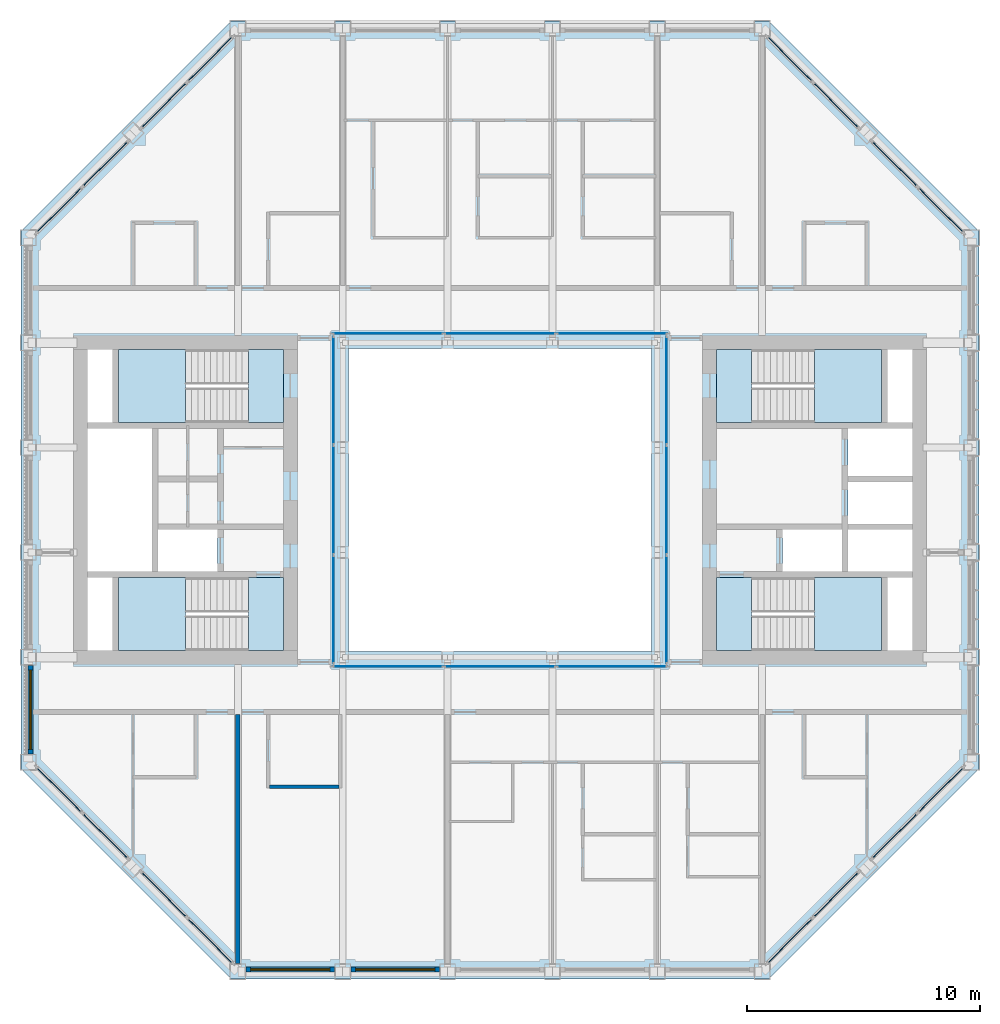
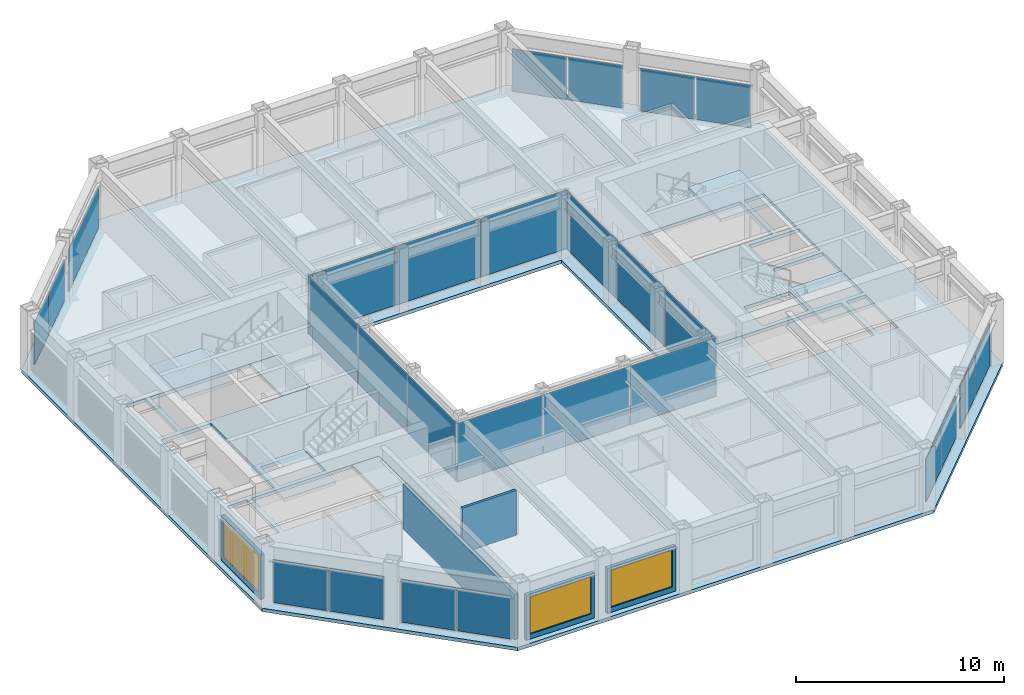
# One storey, part 8 of 17: 28 plates, 9 slabs, 5 walls, 3 windows, 3 openings, 16 elements without a shape of their own.
"""IFC4 building model written with IfcOpenShell, lengths in metres."""

import ifcopenshell
import ifcopenshell.guid

model = None  # the IFC model being written
_history = None  # IfcOwnerHistory: only IFC2X3 demands one
_inside = {}  # id of a spatial element -> (the spatial element, [elements in it])
_under = {}  # id of a project, library or spatial element -> (it, [spatial elements below it])
_declared = {}  # id of a project -> (the project, [libraries it declares])
_typed = {}  # id of a type object -> (the type object, [elements of that type])
_made_of = {}  # id of a material, layer set ... -> (it, [elements and type objects made of it])


def new_model(schema):
    """Start an empty IFC model of exactly this schema.

    Asked for "IFC4X3", IfcOpenShell would pick the latest addendum, in which some entities
    have other attributes; the version numbers below select the first issue.
    IFC2X3 requires an IfcOwnerHistory on every rooted entity: one is made here for all.
    """
    global model, _history
    if schema == "IFC4X3":
        model = ifcopenshell.file(schema_version=(4, 3, 0, 0))
    else:
        model = ifcopenshell.file(schema=schema)
    _inside.clear()
    _under.clear()
    _declared.clear()
    _typed.clear()
    _made_of.clear()
    _history = None
    if model.schema == "IFC2X3":
        org = make("IfcOrganization", Name="unknown")
        user = make(
            "IfcPersonAndOrganization",
            ThePerson=make("IfcPerson", FamilyName="unknown"),
            TheOrganization=org,
        )
        app = make(
            "IfcApplication",
            ApplicationDeveloper=org,
            Version="unknown",
            ApplicationFullName="unknown",
            ApplicationIdentifier="unknown",
        )
        _history = make(
            "IfcOwnerHistory",
            OwningUser=user,
            OwningApplication=app,
            ChangeAction="ADDED",
            CreationDate=0,
        )
    return model


def make(cls, **values):
    """One entity of the class cls with the attributes given. An attribute that is None is left unset."""
    return model.create_entity(
        cls, **{name: value for name, value in values.items() if value is not None}
    )


def rooted(cls, **values):
    """An entity with a GlobalId (a new one), such as an element, a storey or a relation."""
    return make(cls, GlobalId=ifcopenshell.guid.new(), OwnerHistory=_history, **values)


def si_unit(unit_type, name, prefix=None):
    """IfcSIUnit, for example si_unit("LENGTHUNIT", "METRE", prefix="MILLI")."""
    return make("IfcSIUnit", UnitType=unit_type, Prefix=prefix, Name=name)


def assignment(units):
    """IfcUnitAssignment: the units of a project."""
    return None if units is None else make("IfcUnitAssignment", Units=units)


def point(xyz):
    """IfcCartesianPoint."""
    return None if xyz is None else make("IfcCartesianPoint", Coordinates=xyz)


def direction(xyz):
    """IfcDirection."""
    return None if xyz is None else make("IfcDirection", DirectionRatios=xyz)


def frame(location, z_axis=None, x_axis=None):
    """IfcAxis2Placement3D, a coordinate frame: its origin and axes. An axis left out is left unset."""
    return make(
        "IfcAxis2Placement3D",
        Location=point(location),
        Axis=direction(z_axis),
        RefDirection=direction(x_axis),
    )


def frame_2d(location, x_axis=None):
    """IfcAxis2Placement2D, a coordinate frame in the plane: its origin and x axis."""
    return make(
        "IfcAxis2Placement2D", Location=point(location), RefDirection=direction(x_axis)
    )


def origin():
    """The frame at (0, 0, 0) with its axes left unset."""
    return frame((0.0, 0.0, 0.0))


def origin_2d():
    """The frame at (0, 0) in the plane with its x axis left unset."""
    return frame_2d((0.0, 0.0))


def place(relative_to, where):
    """IfcLocalPlacement: puts the frame where relative to a parent placement (None: the world)."""
    return make(
        "IfcLocalPlacement", PlacementRelTo=relative_to, RelativePlacement=where
    )


def context(
    kind, dimensions, precision=None, world=None, true_north=None, identifier=None
):
    """IfcGeometricRepresentationContext, for example the 3D "Model" context."""
    return make(
        "IfcGeometricRepresentationContext",
        ContextIdentifier=identifier,
        ContextType=kind,
        CoordinateSpaceDimension=dimensions,
        Precision=precision,
        WorldCoordinateSystem=world,
        TrueNorth=true_north,
    )


def subcontext(parent, identifier, kind, view, scale=None):
    """IfcGeometricRepresentationSubContext, for example "Body" below "Model"."""
    return make(
        "IfcGeometricRepresentationSubContext",
        ContextIdentifier=identifier,
        ContextType=kind,
        ParentContext=parent,
        TargetScale=scale,
        TargetView=view,
    )


def project(units=None, contexts=None):
    """IfcProject with its units and contexts."""
    return rooted(
        "IfcProject",
        Name="project",
        RepresentationContexts=contexts,
        UnitsInContext=assignment(units),
    )


def spatial(cls, under=None, at=None, **own):
    """A site, building, storey or space (cls), placed at a placement, below another one or the project."""
    s = rooted(cls, ObjectPlacement=at, **own)
    if under is not None:
        _under.setdefault(under.id(), (under, []))[1].append(s)
    return s


def polyline(points):
    """IfcPolyline through the points."""
    return make("IfcPolyline", Points=[point(p) for p in points])


def profile(cls, at=None, kind="AREA", **sizes):
    """A parametric profile (cls). Its sizes go by their IFC names, for example OverallWidth=200.0."""
    return make(cls, ProfileType=kind, Position=at, **sizes)


def rectangle(**sizes):
    """IfcRectangleProfileDef."""
    return profile("IfcRectangleProfileDef", **sizes)


def outline(outer, holes=None, kind="AREA"):
    """IfcArbitraryClosedProfileDef: a profile drawn as a closed curve; with holes, ...WithVoids."""
    if holes is None:
        return make("IfcArbitraryClosedProfileDef", ProfileType=kind, OuterCurve=outer)
    return make(
        "IfcArbitraryProfileDefWithVoids",
        ProfileType=kind,
        OuterCurve=outer,
        InnerCurves=holes,
    )


def extrude(swept, where, along, depth):
    """IfcExtrudedAreaSolid: the profile swept, set in the frame where, extruded along a direction by depth."""
    return make(
        "IfcExtrudedAreaSolid",
        SweptArea=swept,
        Position=where,
        ExtrudedDirection=direction(along),
        Depth=depth,
    )


def shape(context_of_items, identifier, shape_type, items):
    """IfcShapeRepresentation: the items that make up one representation, for example the "Body"."""
    return make(
        "IfcShapeRepresentation",
        ContextOfItems=context_of_items,
        RepresentationIdentifier=identifier,
        RepresentationType=shape_type,
        Items=items,
    )


def material(Name=None, Category=None):
    """IfcMaterial."""
    return make("IfcMaterial", Name=Name, Category=Category)


def layer(
    of_material, thickness, ventilated=None, Name=None, Category=None, Priority=None
):
    """IfcMaterialLayer: one layer of a wall or slab, of a material (None: an air gap)."""
    return make(
        "IfcMaterialLayer",
        Material=of_material,
        LayerThickness=thickness,
        IsVentilated=ventilated,
        Name=Name,
        Category=Category,
        Priority=Priority,
    )


def layer_set(layers, Name=None):
    """IfcMaterialLayerSet."""
    return make("IfcMaterialLayerSet", MaterialLayers=layers, LayerSetName=Name)


def made_of(thing, what):
    """Note that an element or type object is made of a material, layer set ...; save() writes the relation."""
    if what is not None:
        _made_of.setdefault(what.id(), (what, []))[1].append(thing)
    return thing


def type_object(cls, material=None, **own):
    """A type object (cls), such as IfcWallType, which elements share."""
    return made_of(rooted(cls, **own), material)


def element(
    cls,
    number,
    at=None,
    inside=None,
    cuts=None,
    type_object=None,
    material=None,
    context=None,
    identifier="Body",
    shape_type=None,
    held_by="IfcProductDefinitionShape",
    body=None,
    shapes=None,
    **own,
):
    """One element of the class cls, such as IfcWall. Its Tag is "e" and its number.

    at: its placement. inside: the storey or other place that contains it. cuts: it is an
    opening in that element (IfcRelVoidsElement). A single representation is given by context,
    identifier, shape_type and body (its items); several are given by shapes. held_by: the class
    of the entity that holds the representations. save() writes the other relations.
    """
    e = rooted(cls, Tag="e%d" % number, ObjectPlacement=at, **own)
    if body is not None:
        shapes = [shape(context, identifier, shape_type, body)]
    if shapes is not None:
        e.Representation = make(held_by, Representations=shapes)
    if inside is not None:
        _inside.setdefault(inside.id(), (inside, []))[1].append(e)
    if cuts is not None:
        rooted(
            "IfcRelVoidsElement", RelatingBuildingElement=cuts, RelatedOpeningElement=e
        )
    if type_object is not None:
        _typed.setdefault(type_object.id(), (type_object, []))[1].append(e)
    return made_of(e, material)


def fill(opening, filler):
    """IfcRelFillsElement: the door or window that sits in an opening."""
    return rooted(
        "IfcRelFillsElement",
        RelatingOpeningElement=opening,
        RelatedBuildingElement=filler,
    )


def aggregate(whole, parts):
    """IfcRelAggregates: a whole, such as a stair, and the parts it consists of."""
    return rooted("IfcRelAggregates", RelatingObject=whole, RelatedObjects=parts)


def save(model, path):
    """Write the relations noted so far, then the file.

    IfcRelAggregates (storeys below a building ...), IfcRelContainedInSpatialStructure (elements
    in a storey), IfcRelDefinesByType, IfcRelAssociatesMaterial and IfcRelDeclares: one each for
    every whole, place, type object, material and project.
    """
    for whole, parts in _under.values():
        aggregate(whole, parts)
    for where, things in _inside.values():
        rooted(
            "IfcRelContainedInSpatialStructure",
            RelatedElements=things,
            RelatingStructure=where,
        )
    for kind, things in _typed.values():
        rooted("IfcRelDefinesByType", RelatedObjects=things, RelatingType=kind)
    for what, things in _made_of.values():
        rooted("IfcRelAssociatesMaterial", RelatedObjects=things, RelatingMaterial=what)
    for by, libraries in _declared.values():
        rooted("IfcRelDeclares", RelatingContext=by, RelatedDefinitions=libraries)
    model.write(path)


model = new_model("IFC4")

# Units and contexts
model_context = context("Model", 3, precision=1e-05, world=origin(), true_north=direction((0.0, 1.0)))
body_context = subcontext(model_context, "Body", "Model", "MODEL_VIEW")
ifc_project = project(units=[si_unit("LENGTHUNIT", "METRE"), si_unit("AREAUNIT", "SQUARE_METRE"), si_unit("VOLUMEUNIT", "CUBIC_METRE"), si_unit("PLANEANGLEUNIT", "RADIAN"), si_unit("MASSUNIT", "GRAM", prefix="KILO")], contexts=[model_context])

# Site, building, storey
site_placement = place(None, origin())
site = spatial("IfcSite", under=ifc_project, at=site_placement, CompositionType="ELEMENT")
building_placement = place(site_placement, origin())
building = spatial("IfcBuilding", under=site, at=building_placement, Name="Msasa Ring Tower", CompositionType="ELEMENT")
storey_placement = place(building_placement, frame((0.0, 0.0, 242.050048828125)))
storey = spatial("IfcBuildingStorey", under=building, at=storey_placement, Name="L63", CompositionType="ELEMENT", Elevation=242.050048828125)

# Curtain wall, plates
ifc_material_1 = material(Name="Aluminium curtain wall with clear glass", Category="aluminium")
curtain_wall_type_1 = type_object("IfcCurtainWallType", Name="CW-C CHAMFER CORNER CURTAIN WALL", PredefinedType="NOTDEFINED", material=ifc_material_1)
curtain_wall_1_placement = place(storey_placement, origin())
curtain_wall_1 = element("IfcCurtainWall", 1, at=curtain_wall_1_placement, inside=storey, type_object=curtain_wall_type_1, Name="Chamfer corner curtain wall SE L63", PredefinedType="NOTDEFINED")
ifc_material_2 = material(Name="Clear laminated insulating glass unit", Category="glass")
ifc_layer_1 = layer(ifc_material_2, 0.031982421875)
ifc_layer_set_1 = layer_set([ifc_layer_1], Name="CW-C GLASS PANEL 32")
plate_type_1 = type_object("IfcPlateType", Name="CW-C GLASS PANEL 32", PredefinedType="CURTAIN_PANEL", material=ifc_layer_set_1)
plate_1_placement = place(storey_placement, frame((12.44140625, -18.917236328125, 0.06494140625), z_axis=(0.0, 0.0, 1.0), x_axis=(0.707106781187, 0.707106781187, 0.0)))
plate_1 = element("IfcPlate", 2, at=plate_1_placement, type_object=plate_type_1, Name="CW-C panel 1.1", PredefinedType="CURTAIN_PANEL", context=body_context, shape_type="SweptSolid", body=[
    extrude(rectangle(XDim=2.7294921875, YDim=0.031982421875, at=origin_2d()), origin(), (0.0, 0.0, 1.0), 2.4990234375),
])
plate_2_placement = place(storey_placement, frame((14.417236328125, -16.94140625, 0.06494140625), z_axis=(0.0, 0.0, 1.0), x_axis=(0.707106781187, 0.707106781187, 0.0)))
plate_2 = element("IfcPlate", 3, at=plate_2_placement, type_object=plate_type_1, Name="CW-C panel 2.1", PredefinedType="CURTAIN_PANEL", context=body_context, shape_type="SweptSolid", body=[
    extrude(rectangle(XDim=2.7294921875, YDim=0.031982421875, at=origin_2d()), origin(), (0.0, 0.0, 1.0), 2.4990234375),
])
aggregate(curtain_wall_1, [plate_1, plate_2])

curtain_wall_2_placement = place(storey_placement, origin())
curtain_wall_2 = element("IfcCurtainWall", 4, at=curtain_wall_2_placement, inside=storey, type_object=curtain_wall_type_1, Name="Chamfer corner curtain wall SE L63", PredefinedType="NOTDEFINED")
plate_3_placement = place(storey_placement, frame((16.94140625, -14.417236328125, 0.06494140625), z_axis=(0.0, 0.0, 1.0), x_axis=(0.707106781187, 0.707106781187, 0.0)))
plate_3 = element("IfcPlate", 5, at=plate_3_placement, type_object=plate_type_1, Name="CW-C panel 1.1", PredefinedType="CURTAIN_PANEL", context=body_context, shape_type="SweptSolid", body=[
    extrude(rectangle(XDim=2.7294921875, YDim=0.031982421875, at=origin_2d()), origin(), (0.0, 0.0, 1.0), 2.4990234375),
])
plate_4_placement = place(storey_placement, frame((18.917236328125, -12.44140625, 0.06494140625), z_axis=(0.0, 0.0, 1.0), x_axis=(0.707106781187, 0.707106781187, 0.0)))
plate_4 = element("IfcPlate", 6, at=plate_4_placement, type_object=plate_type_1, Name="CW-C panel 2.1", PredefinedType="CURTAIN_PANEL", context=body_context, shape_type="SweptSolid", body=[
    extrude(rectangle(XDim=2.7294921875, YDim=0.031982421875, at=origin_2d()), origin(), (0.0, 0.0, 1.0), 2.4990234375),
])
aggregate(curtain_wall_2, [plate_3, plate_4])

curtain_wall_3_placement = place(storey_placement, origin())
curtain_wall_3 = element("IfcCurtainWall", 7, at=curtain_wall_3_placement, inside=storey, type_object=curtain_wall_type_1, Name="Chamfer corner curtain wall NE L63", PredefinedType="NOTDEFINED")
plate_5_placement = place(storey_placement, frame((14.417236328125, 16.94140625, 0.06494140625), z_axis=(0.0, 0.0, 1.0), x_axis=(-0.707106781187, 0.707106781187, 0.0)))
plate_5 = element("IfcPlate", 8, at=plate_5_placement, type_object=plate_type_1, Name="CW-C panel 1.1", PredefinedType="CURTAIN_PANEL", context=body_context, shape_type="SweptSolid", body=[
    extrude(rectangle(XDim=2.7294921875, YDim=0.031982421875, at=origin_2d()), origin(), (0.0, 0.0, 1.0), 2.4990234375),
])
plate_6_placement = place(storey_placement, frame((12.44140625, 18.917236328125, 0.06494140625), z_axis=(0.0, 0.0, 1.0), x_axis=(-0.707106781187, 0.707106781187, 0.0)))
plate_6 = element("IfcPlate", 9, at=plate_6_placement, type_object=plate_type_1, Name="CW-C panel 2.1", PredefinedType="CURTAIN_PANEL", context=body_context, shape_type="SweptSolid", body=[
    extrude(rectangle(XDim=2.7294921875, YDim=0.031982421875, at=origin_2d()), origin(), (0.0, 0.0, 1.0), 2.4990234375),
])
aggregate(curtain_wall_3, [plate_5, plate_6])

curtain_wall_4_placement = place(storey_placement, origin())
curtain_wall_4 = element("IfcCurtainWall", 10, at=curtain_wall_4_placement, inside=storey, type_object=curtain_wall_type_1, Name="Chamfer corner curtain wall NE L63", PredefinedType="NOTDEFINED")
plate_7_placement = place(storey_placement, frame((18.917236328125, 12.44140625, 0.06494140625), z_axis=(0.0, 0.0, 1.0), x_axis=(-0.707106781187, 0.707106781187, 0.0)))
plate_7 = element("IfcPlate", 11, at=plate_7_placement, type_object=plate_type_1, Name="CW-C panel 1.1", PredefinedType="CURTAIN_PANEL", context=body_context, shape_type="SweptSolid", body=[
    extrude(rectangle(XDim=2.7294921875, YDim=0.031982421875, at=origin_2d()), origin(), (0.0, 0.0, 1.0), 2.4990234375),
])
plate_8_placement = place(storey_placement, frame((16.94140625, 14.417236328125, 0.06494140625), z_axis=(0.0, 0.0, 1.0), x_axis=(-0.707106781187, 0.707106781187, 0.0)))
plate_8 = element("IfcPlate", 12, at=plate_8_placement, type_object=plate_type_1, Name="CW-C panel 2.1", PredefinedType="CURTAIN_PANEL", context=body_context, shape_type="SweptSolid", body=[
    extrude(rectangle(XDim=2.7294921875, YDim=0.031982421875, at=origin_2d()), origin(), (0.0, 0.0, 1.0), 2.4990234375),
])
aggregate(curtain_wall_4, [plate_7, plate_8])

curtain_wall_5_placement = place(storey_placement, origin())
curtain_wall_5 = element("IfcCurtainWall", 13, at=curtain_wall_5_placement, inside=storey, type_object=curtain_wall_type_1, Name="Chamfer corner curtain wall NW L63", PredefinedType="NOTDEFINED")
plate_9_placement = place(storey_placement, frame((-16.94140625, 14.417236328125, 0.06494140625), z_axis=(0.0, 0.0, 1.0), x_axis=(-0.707106781187, -0.707106781187, 0.0)))
plate_9 = element("IfcPlate", 14, at=plate_9_placement, type_object=plate_type_1, Name="CW-C panel 1.1", PredefinedType="CURTAIN_PANEL", context=body_context, shape_type="SweptSolid", body=[
    extrude(rectangle(XDim=2.7294921875, YDim=0.031982421875, at=origin_2d()), origin(), (0.0, 0.0, 1.0), 2.4990234375),
])
plate_10_placement = place(storey_placement, frame((-18.917236328125, 12.44140625, 0.06494140625), z_axis=(0.0, 0.0, 1.0), x_axis=(-0.707106781187, -0.707106781187, 0.0)))
plate_10 = element("IfcPlate", 15, at=plate_10_placement, type_object=plate_type_1, Name="CW-C panel 2.1", PredefinedType="CURTAIN_PANEL", context=body_context, shape_type="SweptSolid", body=[
    extrude(rectangle(XDim=2.7294921875, YDim=0.031982421875, at=origin_2d()), origin(), (0.0, 0.0, 1.0), 2.4990234375),
])
aggregate(curtain_wall_5, [plate_9, plate_10])

curtain_wall_6_placement = place(storey_placement, origin())
curtain_wall_6 = element("IfcCurtainWall", 16, at=curtain_wall_6_placement, inside=storey, type_object=curtain_wall_type_1, Name="Chamfer corner curtain wall NW L63", PredefinedType="NOTDEFINED")
plate_11_placement = place(storey_placement, frame((-12.44140625, 18.917236328125, 0.06494140625), z_axis=(0.0, 0.0, 1.0), x_axis=(-0.707106781187, -0.707106781187, 0.0)))
plate_11 = element("IfcPlate", 17, at=plate_11_placement, type_object=plate_type_1, Name="CW-C panel 1.1", PredefinedType="CURTAIN_PANEL", context=body_context, shape_type="SweptSolid", body=[
    extrude(rectangle(XDim=2.7294921875, YDim=0.031982421875, at=origin_2d()), origin(), (0.0, 0.0, 1.0), 2.4990234375),
])
plate_12_placement = place(storey_placement, frame((-14.417236328125, 16.94140625, 0.06494140625), z_axis=(0.0, 0.0, 1.0), x_axis=(-0.707106781187, -0.707106781187, 0.0)))
plate_12 = element("IfcPlate", 18, at=plate_12_placement, type_object=plate_type_1, Name="CW-C panel 2.1", PredefinedType="CURTAIN_PANEL", context=body_context, shape_type="SweptSolid", body=[
    extrude(rectangle(XDim=2.7294921875, YDim=0.031982421875, at=origin_2d()), origin(), (0.0, 0.0, 1.0), 2.4990234375),
])
aggregate(curtain_wall_6, [plate_11, plate_12])

curtain_wall_7_placement = place(storey_placement, origin())
curtain_wall_7 = element("IfcCurtainWall", 19, at=curtain_wall_7_placement, inside=storey, type_object=curtain_wall_type_1, Name="Chamfer corner curtain wall SW L63", PredefinedType="NOTDEFINED")
plate_13_placement = place(storey_placement, frame((-18.917236328125, -12.44140625, 0.06494140625), z_axis=(0.0, 0.0, 1.0), x_axis=(0.707106781187, -0.707106781187, 0.0)))
plate_13 = element("IfcPlate", 20, at=plate_13_placement, type_object=plate_type_1, Name="CW-C panel 1.1", PredefinedType="CURTAIN_PANEL", context=body_context, shape_type="SweptSolid", body=[
    extrude(rectangle(XDim=2.7294921875, YDim=0.031982421875, at=origin_2d()), origin(), (0.0, 0.0, 1.0), 2.4990234375),
])
plate_14_placement = place(storey_placement, frame((-16.94140625, -14.417236328125, 0.06494140625), z_axis=(0.0, 0.0, 1.0), x_axis=(0.707106781187, -0.707106781187, 0.0)))
plate_14 = element("IfcPlate", 21, at=plate_14_placement, type_object=plate_type_1, Name="CW-C panel 2.1", PredefinedType="CURTAIN_PANEL", context=body_context, shape_type="SweptSolid", body=[
    extrude(rectangle(XDim=2.7294921875, YDim=0.031982421875, at=origin_2d()), origin(), (0.0, 0.0, 1.0), 2.4990234375),
])
aggregate(curtain_wall_7, [plate_13, plate_14])

curtain_wall_8_placement = place(storey_placement, origin())
curtain_wall_8 = element("IfcCurtainWall", 22, at=curtain_wall_8_placement, inside=storey, type_object=curtain_wall_type_1, Name="Chamfer corner curtain wall SW L63", PredefinedType="NOTDEFINED")
plate_15_placement = place(storey_placement, frame((-14.417236328125, -16.94140625, 0.06494140625), z_axis=(0.0, 0.0, 1.0), x_axis=(0.707106781187, -0.707106781187, 0.0)))
plate_15 = element("IfcPlate", 23, at=plate_15_placement, type_object=plate_type_1, Name="CW-C panel 1.1", PredefinedType="CURTAIN_PANEL", context=body_context, shape_type="SweptSolid", body=[
    extrude(rectangle(XDim=2.7294921875, YDim=0.031982421875, at=origin_2d()), origin(), (0.0, 0.0, 1.0), 2.4990234375),
])
plate_16_placement = place(storey_placement, frame((-12.44140625, -18.917236328125, 0.06494140625), z_axis=(0.0, 0.0, 1.0), x_axis=(0.707106781187, -0.707106781187, 0.0)))
plate_16 = element("IfcPlate", 24, at=plate_16_placement, type_object=plate_type_1, Name="CW-C panel 2.1", PredefinedType="CURTAIN_PANEL", context=body_context, shape_type="SweptSolid", body=[
    extrude(rectangle(XDim=2.7294921875, YDim=0.031982421875, at=origin_2d()), origin(), (0.0, 0.0, 1.0), 2.4990234375),
])
aggregate(curtain_wall_8, [plate_15, plate_16])

ifc_material_3 = material(Name="Aluminium curtain wall with clear glass", Category="aluminium")
curtain_wall_type_2 = type_object("IfcCurtainWallType", Name="CW-W LIGHT WELL CURTAIN WALL", PredefinedType="NOTDEFINED", material=ifc_material_3)
curtain_wall_9_placement = place(storey_placement, origin())
curtain_wall_9 = element("IfcCurtainWall", 25, at=curtain_wall_9_placement, inside=storey, type_object=curtain_wall_type_2, Name="Light well curtain wall N L63", PredefinedType="NOTDEFINED")
ifc_material_4 = material(Name="Clear laminated insulating glass unit", Category="glass")
ifc_layer_2 = layer(ifc_material_4, 0.028076171875)
ifc_layer_set_2 = layer_set([ifc_layer_2], Name="CW-W GLASS PANEL 28")
plate_type_2 = type_object("IfcPlateType", Name="CW-W GLASS PANEL 28", PredefinedType="CURTAIN_PANEL", material=ifc_layer_set_2)
plate_17_placement = place(storey_placement, frame((-4.804931640625, 7.14990234375, 0.06005859375), z_axis=(0.0, 0.0, 1.0), x_axis=(1.0, 0.0, 0.0)))
plate_17 = element("IfcPlate", 26, at=plate_17_placement, type_object=plate_type_2, Name="CW-W panel 1.1", PredefinedType="CURTAIN_PANEL", context=body_context, shape_type="SweptSolid", body=[
    extrude(rectangle(XDim=4.72998046875, YDim=0.028076171875, at=origin_2d()), origin(), (0.0, 0.0, 1.0), 3.429931640625),
])
plate_18_placement = place(storey_placement, frame((0.0, 7.14990234375, 0.06005859375), z_axis=(0.0, 0.0, 1.0), x_axis=(1.0, 0.0, 0.0)))
plate_18 = element("IfcPlate", 27, at=plate_18_placement, type_object=plate_type_2, Name="CW-W panel 2.1", PredefinedType="CURTAIN_PANEL", context=body_context, shape_type="SweptSolid", body=[
    extrude(rectangle(XDim=4.760009765625, YDim=0.028076171875, at=origin_2d()), origin(), (0.0, 0.0, 1.0), 3.429931640625),
])
plate_19_placement = place(storey_placement, frame((4.804931640625, 7.14990234375, 0.06005859375), z_axis=(0.0, 0.0, 1.0), x_axis=(1.0, 0.0, 0.0)))
plate_19 = element("IfcPlate", 28, at=plate_19_placement, type_object=plate_type_2, Name="CW-W panel 3.1", PredefinedType="CURTAIN_PANEL", context=body_context, shape_type="SweptSolid", body=[
    extrude(rectangle(XDim=4.72998046875, YDim=0.028076171875, at=origin_2d()), origin(), (0.0, 0.0, 1.0), 3.429931640625),
])
aggregate(curtain_wall_9, [plate_17, plate_18, plate_19])

curtain_wall_10_placement = place(storey_placement, origin())
curtain_wall_10 = element("IfcCurtainWall", 29, at=curtain_wall_10_placement, inside=storey, type_object=curtain_wall_type_2, Name="Light well curtain wall S L63", PredefinedType="NOTDEFINED")
plate_20_placement = place(storey_placement, frame((-4.804931640625, -7.14990234375, 0.06005859375), z_axis=(0.0, 0.0, 1.0), x_axis=(1.0, 0.0, 0.0)))
plate_20 = element("IfcPlate", 30, at=plate_20_placement, type_object=plate_type_2, Name="CW-W panel 1.1", PredefinedType="CURTAIN_PANEL", context=body_context, shape_type="SweptSolid", body=[
    extrude(rectangle(XDim=4.72998046875, YDim=0.028076171875, at=origin_2d()), origin(), (0.0, 0.0, 1.0), 3.429931640625),
])
plate_21_placement = place(storey_placement, frame((0.0, -7.14990234375, 0.06005859375), z_axis=(0.0, 0.0, 1.0), x_axis=(1.0, 0.0, 0.0)))
plate_21 = element("IfcPlate", 31, at=plate_21_placement, type_object=plate_type_2, Name="CW-W panel 2.1", PredefinedType="CURTAIN_PANEL", context=body_context, shape_type="SweptSolid", body=[
    extrude(rectangle(XDim=4.760009765625, YDim=0.028076171875, at=origin_2d()), origin(), (0.0, 0.0, 1.0), 3.429931640625),
])
plate_22_placement = place(storey_placement, frame((4.804931640625, -7.14990234375, 0.06005859375), z_axis=(0.0, 0.0, 1.0), x_axis=(1.0, 0.0, 0.0)))
plate_22 = element("IfcPlate", 32, at=plate_22_placement, type_object=plate_type_2, Name="CW-W panel 3.1", PredefinedType="CURTAIN_PANEL", context=body_context, shape_type="SweptSolid", body=[
    extrude(rectangle(XDim=4.72998046875, YDim=0.028076171875, at=origin_2d()), origin(), (0.0, 0.0, 1.0), 3.429931640625),
])
aggregate(curtain_wall_10, [plate_20, plate_21, plate_22])

curtain_wall_11_placement = place(storey_placement, origin())
curtain_wall_11 = element("IfcCurtainWall", 33, at=curtain_wall_11_placement, inside=storey, type_object=curtain_wall_type_2, Name="Light well curtain wall E L63", PredefinedType="NOTDEFINED")
plate_23_placement = place(storey_placement, frame((7.14990234375, -4.6982421875, 0.06005859375), z_axis=(0.0, 0.0, 1.0), x_axis=(0.0, 1.0, 0.0)))
plate_23 = element("IfcPlate", 34, at=plate_23_placement, type_object=plate_type_2, Name="CW-W panel 1.1", PredefinedType="CURTAIN_PANEL", context=body_context, shape_type="SweptSolid", body=[
    extrude(rectangle(XDim=4.623291015625, YDim=0.028076171875, at=origin_2d()), origin(), (0.0, 0.0, 1.0), 3.429931640625),
])
plate_24_placement = place(storey_placement, frame((7.14990234375, 0.0, 0.06005859375), z_axis=(0.0, 0.0, 1.0), x_axis=(0.0, 1.0, 0.0)))
plate_24 = element("IfcPlate", 35, at=plate_24_placement, type_object=plate_type_2, Name="CW-W panel 2.1", PredefinedType="CURTAIN_PANEL", context=body_context, shape_type="SweptSolid", body=[
    extrude(rectangle(XDim=4.6533203125, YDim=0.028076171875, at=origin_2d()), origin(), (0.0, 0.0, 1.0), 3.429931640625),
])
plate_25_placement = place(storey_placement, frame((7.14990234375, 4.6982421875, 0.06005859375), z_axis=(0.0, 0.0, 1.0), x_axis=(0.0, 1.0, 0.0)))
plate_25 = element("IfcPlate", 36, at=plate_25_placement, type_object=plate_type_2, Name="CW-W panel 3.1", PredefinedType="CURTAIN_PANEL", context=body_context, shape_type="SweptSolid", body=[
    extrude(rectangle(XDim=4.623291015625, YDim=0.028076171875, at=origin_2d()), origin(), (0.0, 0.0, 1.0), 3.429931640625),
])
aggregate(curtain_wall_11, [plate_23, plate_24, plate_25])

curtain_wall_12_placement = place(storey_placement, origin())
curtain_wall_12 = element("IfcCurtainWall", 37, at=curtain_wall_12_placement, inside=storey, type_object=curtain_wall_type_2, Name="Light well curtain wall W L63", PredefinedType="NOTDEFINED")
plate_26_placement = place(storey_placement, frame((-7.14990234375, -4.6982421875, 0.06005859375), z_axis=(0.0, 0.0, 1.0), x_axis=(0.0, 1.0, 0.0)))
plate_26 = element("IfcPlate", 38, at=plate_26_placement, type_object=plate_type_2, Name="CW-W panel 1.1", PredefinedType="CURTAIN_PANEL", context=body_context, shape_type="SweptSolid", body=[
    extrude(rectangle(XDim=4.623291015625, YDim=0.028076171875, at=origin_2d()), origin(), (0.0, 0.0, 1.0), 3.429931640625),
])
plate_27_placement = place(storey_placement, frame((-7.14990234375, 0.0, 0.06005859375), z_axis=(0.0, 0.0, 1.0), x_axis=(0.0, 1.0, 0.0)))
plate_27 = element("IfcPlate", 39, at=plate_27_placement, type_object=plate_type_2, Name="CW-W panel 2.1", PredefinedType="CURTAIN_PANEL", context=body_context, shape_type="SweptSolid", body=[
    extrude(rectangle(XDim=4.6533203125, YDim=0.028076171875, at=origin_2d()), origin(), (0.0, 0.0, 1.0), 3.429931640625),
])
plate_28_placement = place(storey_placement, frame((-7.14990234375, 4.6982421875, 0.06005859375), z_axis=(0.0, 0.0, 1.0), x_axis=(0.0, 1.0, 0.0)))
plate_28 = element("IfcPlate", 40, at=plate_28_placement, type_object=plate_type_2, Name="CW-W panel 3.1", PredefinedType="CURTAIN_PANEL", context=body_context, shape_type="SweptSolid", body=[
    extrude(rectangle(XDim=4.623291015625, YDim=0.028076171875, at=origin_2d()), origin(), (0.0, 0.0, 1.0), 3.429931640625),
])
aggregate(curtain_wall_12, [plate_26, plate_27, plate_28])

# Stair, slabs
ifc_material_5 = material(Name="Concrete C40/50", Category="concrete")
stair_type = type_object("IfcStairType", Name="STC CORE STAIR 22 RISERS 170.5", PredefinedType="HALF_TURN_STAIR", material=ifc_material_5)
stair_1_placement = place(storey_placement, origin())
stair_1 = element("IfcStair", 41, at=stair_1_placement, inside=storey, type_object=stair_type, Name="Core stair SEA L63", PredefinedType="HALF_TURN_STAIR")
ifc_material_6 = material(Name="Concrete C40/50", Category="concrete")
ifc_layer_3 = layer(ifc_material_6, 0.199951171875)
ifc_layer_set_3 = layer_set([ifc_layer_3], Name="LD1 CORE STAIR LANDING 200")
slab_type_1 = type_object("IfcSlabType", Name="LD1 CORE STAIR LANDING 200", PredefinedType="LANDING", material=ifc_layer_set_3)
slab_1_placement = place(storey_placement, frame((0.0, 0.0, -0.199951171875)))
slab_1 = element("IfcSlab", 42, at=slab_1_placement, type_object=slab_type_1, Name="SEA landing 1", PredefinedType="LANDING", context=body_context, shape_type="SweptSolid", body=[
    extrude(outline(polyline([(9.300048828125, -6.449951171875), (10.800048828125, -6.449951171875), (10.800048828125, -3.324951171875), (9.300048828125, -3.324951171875), (9.300048828125, -6.449951171875)])), origin(), (0.0, 0.0, 1.0), 0.199951171875),
])
slab_2_placement = place(storey_placement, frame((0.0, 0.0, 1.675048828125)))
slab_2 = element("IfcSlab", 43, at=slab_2_placement, type_object=slab_type_1, Name="SEA landing 2", PredefinedType="LANDING", context=body_context, shape_type="SweptSolid", body=[
    extrude(outline(polyline([(13.5, -6.449951171875), (16.375, -6.449951171875), (16.375, -3.324951171875), (13.5, -3.324951171875), (13.5, -6.449951171875)])), origin(), (0.0, 0.0, 1.0), 0.199951171875),
])
aggregate(stair_1, [slab_1, slab_2])

stair_2_placement = place(storey_placement, origin())
stair_2 = element("IfcStair", 44, at=stair_2_placement, inside=storey, type_object=stair_type, Name="Core stair SEB L63", PredefinedType="HALF_TURN_STAIR")
slab_3_placement = place(storey_placement, frame((0.0, 0.0, -0.199951171875)))
slab_3 = element("IfcSlab", 45, at=slab_3_placement, type_object=slab_type_1, Name="SEB landing 1", PredefinedType="LANDING", context=body_context, shape_type="SweptSolid", body=[
    extrude(outline(polyline([(9.300048828125, 3.324951171875), (10.800048828125, 3.324951171875), (10.800048828125, 6.449951171875), (9.300048828125, 6.449951171875), (9.300048828125, 3.324951171875)])), origin(), (0.0, 0.0, 1.0), 0.199951171875),
])
slab_4_placement = place(storey_placement, frame((0.0, 0.0, 1.675048828125)))
slab_4 = element("IfcSlab", 46, at=slab_4_placement, type_object=slab_type_1, Name="SEB landing 2", PredefinedType="LANDING", context=body_context, shape_type="SweptSolid", body=[
    extrude(outline(polyline([(13.5, 3.324951171875), (16.375, 3.324951171875), (16.375, 6.449951171875), (13.5, 6.449951171875), (13.5, 3.324951171875)])), origin(), (0.0, 0.0, 1.0), 0.199951171875),
])
aggregate(stair_2, [slab_3, slab_4])

stair_3_placement = place(storey_placement, origin())
stair_3 = element("IfcStair", 47, at=stair_3_placement, inside=storey, type_object=stair_type, Name="Core stair SWA L63", PredefinedType="HALF_TURN_STAIR")
slab_5_placement = place(storey_placement, frame((0.0, 0.0, -0.199951171875)))
slab_5 = element("IfcSlab", 48, at=slab_5_placement, type_object=slab_type_1, Name="SWA landing 1", PredefinedType="LANDING", context=body_context, shape_type="SweptSolid", body=[
    extrude(outline(polyline([(-10.800048828125, -6.449951171875), (-9.300048828125, -6.449951171875), (-9.300048828125, -3.324951171875), (-10.800048828125, -3.324951171875), (-10.800048828125, -6.449951171875)])), origin(), (0.0, 0.0, 1.0), 0.199951171875),
])
slab_6_placement = place(storey_placement, frame((0.0, 0.0, 1.675048828125)))
slab_6 = element("IfcSlab", 49, at=slab_6_placement, type_object=slab_type_1, Name="SWA landing 2", PredefinedType="LANDING", context=body_context, shape_type="SweptSolid", body=[
    extrude(outline(polyline([(-16.375, -6.449951171875), (-13.5, -6.449951171875), (-13.5, -3.324951171875), (-16.375, -3.324951171875), (-16.375, -6.449951171875)])), origin(), (0.0, 0.0, 1.0), 0.199951171875),
])
aggregate(stair_3, [slab_5, slab_6])

stair_4_placement = place(storey_placement, origin())
stair_4 = element("IfcStair", 50, at=stair_4_placement, inside=storey, type_object=stair_type, Name="Core stair SWB L63", PredefinedType="HALF_TURN_STAIR")
slab_7_placement = place(storey_placement, frame((0.0, 0.0, -0.199951171875)))
slab_7 = element("IfcSlab", 51, at=slab_7_placement, type_object=slab_type_1, Name="SWB landing 1", PredefinedType="LANDING", context=body_context, shape_type="SweptSolid", body=[
    extrude(outline(polyline([(-10.800048828125, 3.324951171875), (-9.300048828125, 3.324951171875), (-9.300048828125, 6.449951171875), (-10.800048828125, 6.449951171875), (-10.800048828125, 3.324951171875)])), origin(), (0.0, 0.0, 1.0), 0.199951171875),
])
slab_8_placement = place(storey_placement, frame((0.0, 0.0, 1.675048828125)))
slab_8 = element("IfcSlab", 52, at=slab_8_placement, type_object=slab_type_1, Name="SWB landing 2", PredefinedType="LANDING", context=body_context, shape_type="SweptSolid", body=[
    extrude(outline(polyline([(-16.375, 3.324951171875), (-13.5, 3.324951171875), (-13.5, 6.449951171875), (-16.375, 6.449951171875), (-16.375, 3.324951171875)])), origin(), (0.0, 0.0, 1.0), 0.199951171875),
])
aggregate(stair_4, [slab_7, slab_8])

# Slab
ifc_material_7 = material(Name="Concrete C40/50", Category="concrete")
ifc_layer_4 = layer(ifc_material_7, 0.199951171875)
ifc_layer_set_4 = layer_set([ifc_layer_4], Name="S8 SUITE FLOOR 200")
slab_type_2 = type_object("IfcSlabType", Name="S8 SUITE FLOOR 200", PredefinedType="FLOOR", material=ifc_layer_set_4)
slab_9_placement = place(storey_placement, frame((0.0, 0.0, -0.199951171875)))
element("IfcSlab", 53, at=slab_9_placement, inside=storey, type_object=slab_type_2, Name="Floor slab L63", PredefinedType="FLOOR", context=body_context, shape_type="SweptSolid", body=[
    extrude(outline(polyline([(-11.550048828125, -20.550048828125), (11.550048828125, -20.550048828125), (20.550048828125, -11.550048828125), (20.550048828125, 11.550048828125), (11.550048828125, 20.550048828125), (-11.550048828125, 20.550048828125), (-20.550048828125, 11.550048828125), (-20.550048828125, -11.550048828125), (-11.550048828125, -20.550048828125)]), holes=[polyline([(-6.5, -6.5), (6.5, -6.5), (6.5, 6.5), (-6.5, 6.5), (-6.5, -6.5)]), polyline([(9.300048828125, -6.449951171875), (16.375, -6.449951171875), (16.375, -3.324951171875), (9.300048828125, -3.324951171875), (9.300048828125, -6.449951171875)]), polyline([(9.300048828125, 3.324951171875), (16.375, 3.324951171875), (16.375, 6.449951171875), (9.300048828125, 6.449951171875), (9.300048828125, 3.324951171875)]), polyline([(12.125, -3.074951171875), (14.675048828125, -3.074951171875), (14.675048828125, -1.27490234375), (12.125, -1.27490234375), (12.125, -3.074951171875)]), polyline([(16.625, -6.449951171875), (17.699951171875, -6.449951171875), (17.699951171875, -3.324951171875), (16.625, -3.324951171875), (16.625, -6.449951171875)]), polyline([(16.625, 3.324951171875), (17.699951171875, 3.324951171875), (17.699951171875, 6.449951171875), (16.625, 6.449951171875), (16.625, 3.324951171875)]), polyline([(14.925048828125, -3.074951171875), (17.699951171875, -3.074951171875), (17.699951171875, -1.27490234375), (14.925048828125, -1.27490234375), (14.925048828125, -3.074951171875)]), polyline([(14.925048828125, -1.02490234375), (17.699951171875, -1.02490234375), (17.699951171875, 0.77490234375), (14.925048828125, 0.77490234375), (14.925048828125, -1.02490234375)]), polyline([(14.925048828125, 1.02490234375), (17.699951171875, 1.02490234375), (17.699951171875, 3.074951171875), (14.925048828125, 3.074951171875), (14.925048828125, 1.02490234375)]), polyline([(-16.375, -6.449951171875), (-9.300048828125, -6.449951171875), (-9.300048828125, -3.324951171875), (-16.375, -3.324951171875), (-16.375, -6.449951171875)]), polyline([(-16.375, 3.324951171875), (-9.300048828125, 3.324951171875), (-9.300048828125, 6.449951171875), (-16.375, 6.449951171875), (-16.375, 3.324951171875)]), polyline([(-14.675048828125, -3.074951171875), (-12.125, -3.074951171875), (-12.125, -1.27490234375), (-14.675048828125, -1.27490234375), (-14.675048828125, -3.074951171875)]), polyline([(-17.699951171875, -6.449951171875), (-16.625, -6.449951171875), (-16.625, -3.324951171875), (-17.699951171875, -3.324951171875), (-17.699951171875, -6.449951171875)]), polyline([(-17.699951171875, 3.324951171875), (-16.625, 3.324951171875), (-16.625, 6.449951171875), (-17.699951171875, 6.449951171875), (-17.699951171875, 3.324951171875)]), polyline([(-17.699951171875, -3.074951171875), (-14.925048828125, -3.074951171875), (-14.925048828125, 3.074951171875), (-17.699951171875, 3.074951171875), (-17.699951171875, -3.074951171875)])]), origin(), (0.0, 0.0, 1.0), 0.199951171875),
])

# Wall, opening, window
ifc_material_8 = material(Name="Terracotta rainscreen on blockwork", Category="masonry")
ifc_layer_5 = layer(ifc_material_8, 0.199951171875)
ifc_layer_set_5 = layer_set([ifc_layer_5], Name="FW1 TERRACOTTA-LINED INFILL BAY WALL 200")
wall_type_1 = type_object("IfcWallType", Name="FW1 TERRACOTTA-LINED INFILL BAY WALL 200", PredefinedType="SOLIDWALL", material=ifc_layer_set_5)
wall_1_placement = place(storey_placement, frame((-10.89501953125, -20.14990234375, 0.0), z_axis=(0.0, 0.0, 1.0), x_axis=(1.0, 0.0, 0.0)))
wall_1 = element("IfcWall", 54, at=wall_1_placement, inside=storey, type_object=wall_type_1, Name="Infill bay wall S L63 00", PredefinedType="SOLIDWALL", context=body_context, shape_type="SweptSolid", body=[
    extrude(rectangle(XDim=3.7900390625, YDim=0.199951171875, at=frame_2d((1.89501953125, 0.0))), origin(), (0.0, 0.0, 1.0), 2.62890625),
])
opening_1_placement = place(wall_1_placement, frame((0.195068359375, 0.0, 0.300048828125)))
opening_1 = element("IfcOpeningElement", 55, at=opening_1_placement, cuts=wall_1, Name="Opening WN3", PredefinedType="OPENING", context=body_context, shape_type="SweptSolid", body=[
    extrude(rectangle(XDim=3.39990234375, YDim=2.178955078125, at=frame_2d((1.699951171875, 1.08935546875))), frame((0.0, 0.10986328125, 0.0), z_axis=(0.0, -1.0, 0.0), x_axis=(1.0, 0.0, 0.0)), (0.0, 0.0, 1.0), 0.219970703125),
])
ifc_material_9 = material(Name="Aluminium frame with clear glass", Category="aluminium")
window_type = type_object("IfcWindowType", Name="WN3 SUITE WINDOW 3400x2179", PartitioningType="SINGLE_PANEL", PredefinedType="WINDOW", material=ifc_material_9)
window_1_placement = place(opening_1_placement, origin())
window_1 = element("IfcWindow", 56, at=window_1_placement, inside=storey, type_object=window_type, Name="Window S L63 00", OverallHeight=2.178955078125, OverallWidth=3.39990234375, PartitioningType="SINGLE_PANEL", PredefinedType="WINDOW", context=body_context, shape_type="SweptSolid", body=[
    extrude(rectangle(XDim=3.39990234375, YDim=2.178955078125, at=frame_2d((1.699951171875, 1.08935546875))), frame((0.0, 0.030029296875, 0.0), z_axis=(0.0, -1.0, 0.0), x_axis=(1.0, 0.0, 0.0)), (0.0, 0.0, 1.0), 0.06005859375),
])
fill(opening_1, window_1)

wall_2_placement = place(storey_placement, frame((-6.39501953125, -20.14990234375, 0.0), z_axis=(0.0, 0.0, 1.0), x_axis=(1.0, 0.0, 0.0)))
wall_2 = element("IfcWall", 57, at=wall_2_placement, inside=storey, type_object=wall_type_1, Name="Infill bay wall S L63 01", PredefinedType="SOLIDWALL", context=body_context, shape_type="SweptSolid", body=[
    extrude(rectangle(XDim=3.7900390625, YDim=0.199951171875, at=frame_2d((1.89501953125, 0.0))), origin(), (0.0, 0.0, 1.0), 2.62890625),
])
opening_2_placement = place(wall_2_placement, frame((0.195068359375, 0.0, 0.300048828125)))
opening_2 = element("IfcOpeningElement", 58, at=opening_2_placement, cuts=wall_2, Name="Opening WN3", PredefinedType="OPENING", context=body_context, shape_type="SweptSolid", body=[
    extrude(rectangle(XDim=3.39990234375, YDim=2.178955078125, at=frame_2d((1.699951171875, 1.08935546875))), frame((0.0, 0.10986328125, 0.0), z_axis=(0.0, -1.0, 0.0), x_axis=(1.0, 0.0, 0.0)), (0.0, 0.0, 1.0), 0.219970703125),
])
window_2_placement = place(opening_2_placement, origin())
window_2 = element("IfcWindow", 59, at=window_2_placement, inside=storey, type_object=window_type, Name="Window S L63 01", OverallHeight=2.178955078125, OverallWidth=3.39990234375, PartitioningType="SINGLE_PANEL", PredefinedType="WINDOW", context=body_context, shape_type="SweptSolid", body=[
    extrude(rectangle(XDim=3.39990234375, YDim=2.178955078125, at=frame_2d((1.699951171875, 1.08935546875))), frame((0.0, 0.030029296875, 0.0), z_axis=(0.0, -1.0, 0.0), x_axis=(1.0, 0.0, 0.0)), (0.0, 0.0, 1.0), 0.06005859375),
])
fill(opening_2, window_2)

wall_3_placement = place(storey_placement, frame((-20.14990234375, -10.89501953125, 0.0), z_axis=(0.0, 0.0, 1.0), x_axis=(0.0, 1.0, 0.0)))
wall_3 = element("IfcWall", 60, at=wall_3_placement, inside=storey, type_object=wall_type_1, Name="Infill bay wall W L63 21", PredefinedType="SOLIDWALL", context=body_context, shape_type="SweptSolid", body=[
    extrude(rectangle(XDim=3.7900390625, YDim=0.199951171875, at=frame_2d((1.89501953125, 0.0))), origin(), (0.0, 0.0, 1.0), 2.62890625),
])
opening_3_placement = place(wall_3_placement, frame((0.195068359375, 0.0, 0.300048828125)))
opening_3 = element("IfcOpeningElement", 61, at=opening_3_placement, cuts=wall_3, Name="Opening WN3", PredefinedType="OPENING", context=body_context, shape_type="SweptSolid", body=[
    extrude(rectangle(XDim=3.39990234375, YDim=2.178955078125, at=frame_2d((1.699951171875, 1.08935546875))), frame((0.0, 0.10986328125, 0.0), z_axis=(0.0, -1.0, 0.0), x_axis=(1.0, 0.0, 0.0)), (0.0, 0.0, 1.0), 0.219970703125),
])
window_3_placement = place(opening_3_placement, origin())
window_3 = element("IfcWindow", 62, at=window_3_placement, inside=storey, type_object=window_type, Name="Window W L63 21", OverallHeight=2.178955078125, OverallWidth=3.39990234375, PartitioningType="SINGLE_PANEL", PredefinedType="WINDOW", context=body_context, shape_type="SweptSolid", body=[
    extrude(rectangle(XDim=3.39990234375, YDim=2.178955078125, at=frame_2d((1.699951171875, 1.08935546875))), frame((0.0, 0.030029296875, 0.0), z_axis=(0.0, -1.0, 0.0), x_axis=(1.0, 0.0, 0.0)), (0.0, 0.0, 1.0), 0.06005859375),
])
fill(opening_3, window_3)

# Walls
ifc_material_10 = material(Name="Dense concrete blockwork, plastered both faces", Category="masonry")
ifc_layer_6 = layer(ifc_material_10, 0.25)
ifc_layer_set_6 = layer_set([ifc_layer_6], Name="PT3 APARTMENT SEPARATING WALL 250")
wall_type_2 = type_object("IfcWallType", Name="PT3 APARTMENT SEPARATING WALL 250", PredefinedType="PARTITIONING", material=ifc_layer_set_6)
wall_4_placement = place(storey_placement, frame((-11.25, -19.89990234375, 0.0), z_axis=(0.0, 0.0, 1.0), x_axis=(0.0, 1.0, 0.0)))
element("IfcWall", 63, at=wall_4_placement, inside=storey, type_object=wall_type_2, Name="Party wall L63-PWS-11.25", PredefinedType="PARTITIONING", context=body_context, shape_type="SweptSolid", body=[
    extrude(rectangle(XDim=10.699951171875, YDim=0.199951171875, at=frame_2d((5.35009765625, 0.0))), origin(), (0.0, 0.0, 1.0), 2.62890625),
])
ifc_material_11 = material(Name="Moisture-resistant board on steel studs with a concealed cistern and pipe void, tiled", Category="steel")
ifc_layer_7 = layer(ifc_material_11, 0.14990234375)
ifc_layer_set_7 = layer_set([ifc_layer_7], Name="PT4 BATHROOM WET WALL 150")
wall_type_3 = type_object("IfcWallType", Name="PT4 BATHROOM WET WALL 150", PredefinedType="PARTITIONING", material=ifc_layer_set_7)
wall_5_placement = place(storey_placement, frame((-9.89990234375, -12.300048828125, 0.0), z_axis=(0.0, 0.0, 1.0), x_axis=(1.0, 0.0, 0.0)))
element("IfcWall", 64, at=wall_5_placement, inside=storey, type_object=wall_type_3, Name="Partition L63-JS00BY", PredefinedType="PARTITIONING", context=body_context, shape_type="SweptSolid", body=[
    extrude(rectangle(XDim=3.0, YDim=0.14990234375, at=frame_2d((1.5, 0.0))), origin(), (0.0, 0.0, 1.0), 2.62890625),
])

save(model, "model.ifc")
